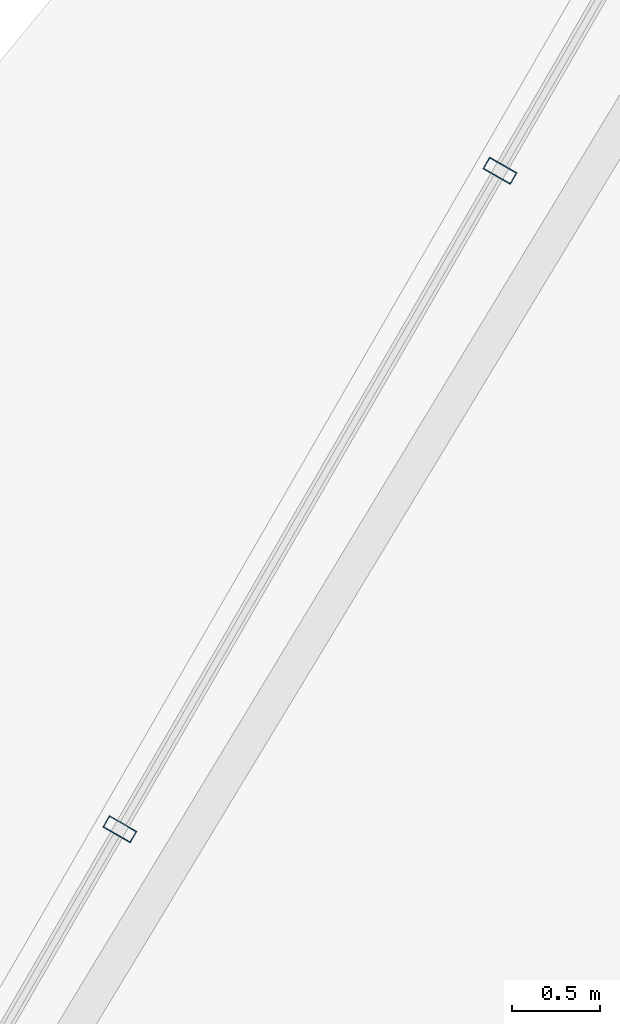
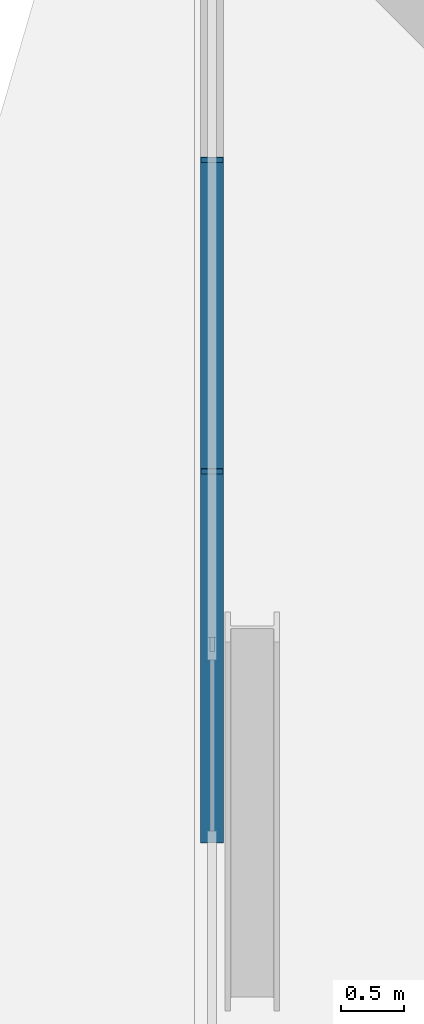
# One storey, part 14 of 37: 2 members, 1 element without a shape of its own.
"""IFC4 building model written with IfcOpenShell, lengths in metres."""

from ifc_helpers import new_model, si_unit, direction, frame, origin, origin_2d, place, context, subcontext, project, spatial, hollow_rectangle, extrude, material, layer, layer_set, material_profile, profile_set, type_object, element, aggregate, save


model = new_model("IFC4")

# Units and contexts
model_context = context("Model", 3, precision=1e-05, world=origin(), true_north=direction((0.0, 1.0)))
body_context = subcontext(model_context, "Body", "Model", "MODEL_VIEW")
ifc_project = project(units=[si_unit("LENGTHUNIT", "METRE"), si_unit("AREAUNIT", "SQUARE_METRE"), si_unit("VOLUMEUNIT", "CUBIC_METRE"), si_unit("PLANEANGLEUNIT", "RADIAN"), si_unit("MASSUNIT", "GRAM", prefix="KILO")], contexts=[model_context])

# Site, building, storey
site_placement = place(None, origin())
site = spatial("IfcSite", under=ifc_project, at=site_placement, CompositionType="ELEMENT")
building_placement = place(site_placement, origin())
building = spatial("IfcBuilding", under=site, at=building_placement, Name="Ndaravel Arena Tower", CompositionType="ELEMENT")
storey_placement = place(building_placement, frame((0.0, 0.0, 218.0)))
storey = spatial("IfcBuildingStorey", under=building, at=storey_placement, Name="L52", CompositionType="ELEMENT", Elevation=218.0)

# Curtain wall, members
ifc_material_1 = material(Name="Aluminium", Category="aluminium")
ifc_layer = layer(ifc_material_1, 0.179931640625)
ifc_layer_set = layer_set([ifc_layer], Name="Aluminium")
curtain_wall_type = type_object("IfcCurtainWallType", Name="CW-SYS-03", PredefinedType="NOTDEFINED", material=ifc_layer_set)
curtain_wall_placement = place(storey_placement, origin())
curtain_wall = element("IfcCurtainWall", 1, at=curtain_wall_placement, inside=storey, type_object=curtain_wall_type, Name="L52 Faceted Crystal Curtain Wall CW-L52-E05", PredefinedType="NOTDEFINED")
ifc_material_2 = material(Name="Aluminium", Category="aluminium")
ifc_material_profile = material_profile(ifc_material_2, hollow_rectangle(XDim=0.074951171875, YDim=0.179931640625, WallThickness=0.00390625, at=origin_2d()), Name="CW MULLION 75x180x4")
ifc_profile_set = profile_set([ifc_material_profile], Name="Aluminium")
member_type = type_object("IfcMemberType", Name="MEM-CW-MUL180", PredefinedType="MULLION", material=ifc_profile_set)
member_1_placement = place(storey_placement, frame((31.620361328125, 34.35791015625, 0.0), z_axis=(0.0, 0.0, 1.0), x_axis=(-0.5, -0.866025403784, 0.0)))
member_1 = element("IfcMember", 2, at=member_1_placement, type_object=member_type, Name="CW-L52-E05 Mullion 03", PredefinedType="MULLION", context=body_context, shape_type="SweptSolid", body=[
    extrude(hollow_rectangle(XDim=0.074951171875, YDim=0.179931640625, WallThickness=0.00390625, at=origin_2d()), origin(), (0.0, 0.0, 1.0), 3.580078125),
])
member_2_placement = place(storey_placement, frame((29.461181640625, 30.617919921875, 0.0), z_axis=(0.0, 0.0, 1.0), x_axis=(-0.5, -0.866025403784, 0.0)))
member_2 = element("IfcMember", 3, at=member_2_placement, type_object=member_type, Name="CW-L52-E05 Mullion 04", PredefinedType="MULLION", context=body_context, shape_type="SweptSolid", body=[
    extrude(hollow_rectangle(XDim=0.074951171875, YDim=0.179931640625, WallThickness=0.00390625, at=origin_2d()), origin(), (0.0, 0.0, 1.0), 3.580078125),
])
aggregate(curtain_wall, [member_1, member_2])

save(model, "model.ifc")
